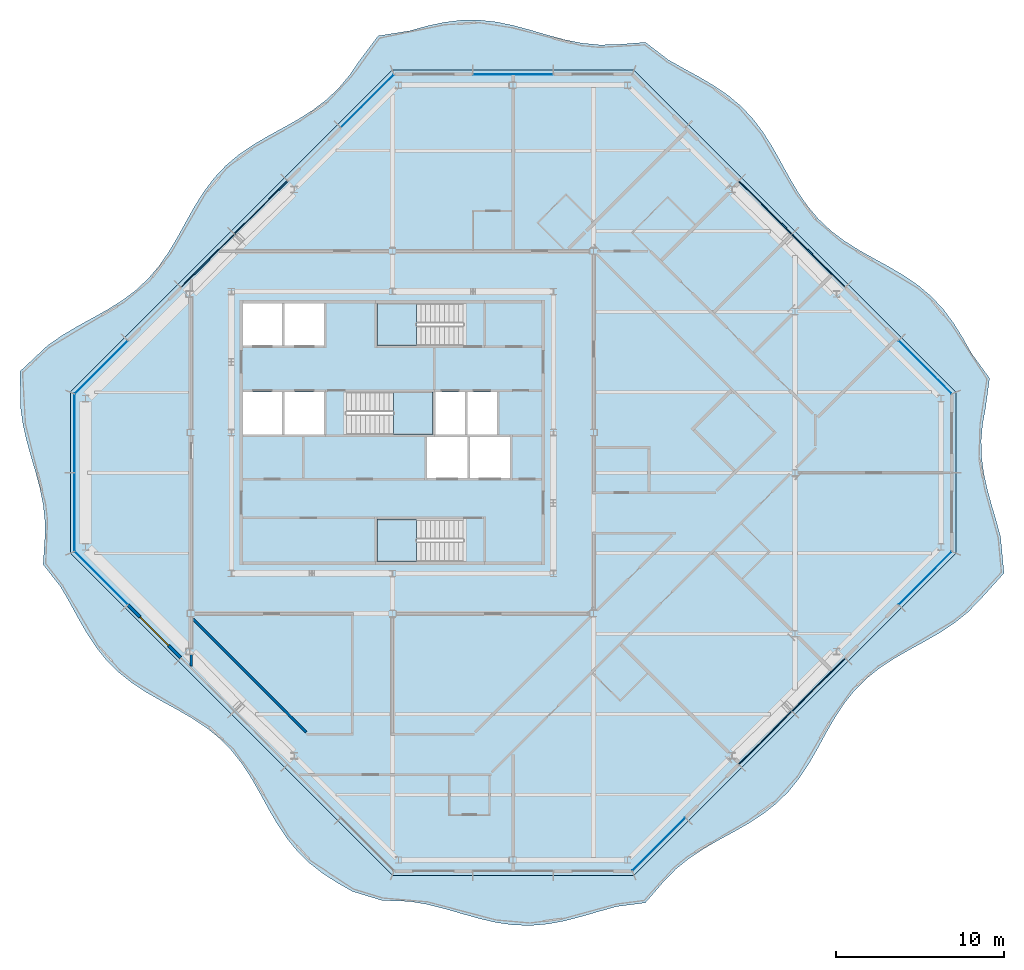
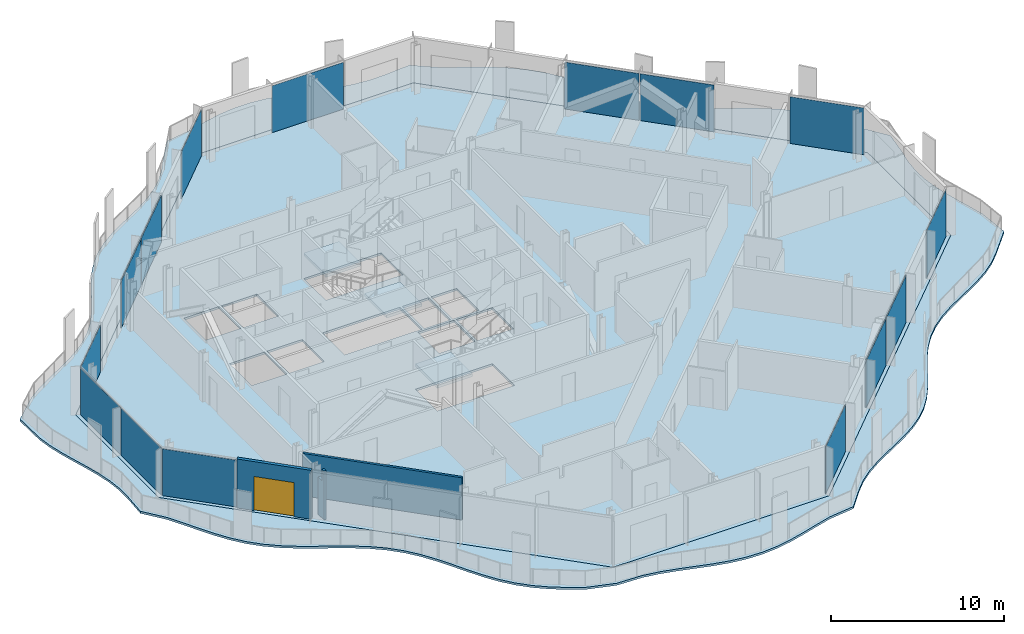
# One storey, part 6 of 17: 15 plates, 5 slabs, 3 walls, 1 door, 1 opening, 9 elements without a shape of their own.
"""IFC4 building model written with IfcOpenShell, lengths in metres."""

from ifc_helpers import new_model, si_unit, direction, frame, frame_2d, origin, origin_2d, place, context, subcontext, project, spatial, polyline, rectangle, outline, extrude, material, layer, layer_set, type_object, element, fill, aggregate, save


model = new_model("IFC4")

# Units and contexts
model_context = context("Model", 3, precision=1e-05, world=origin(), true_north=direction((0.0, 1.0)))
body_context = subcontext(model_context, "Body", "Model", "MODEL_VIEW")
ifc_project = project(units=[si_unit("LENGTHUNIT", "METRE"), si_unit("AREAUNIT", "SQUARE_METRE"), si_unit("VOLUMEUNIT", "CUBIC_METRE"), si_unit("PLANEANGLEUNIT", "RADIAN"), si_unit("MASSUNIT", "GRAM", prefix="KILO")], contexts=[model_context])

# Site, building, storey
site_placement = place(None, origin())
site = spatial("IfcSite", under=ifc_project, at=site_placement, CompositionType="ELEMENT")
building_placement = place(site_placement, origin())
building = spatial("IfcBuilding", under=site, at=building_placement, Name="Cairn Pilgrim Tower", CompositionType="ELEMENT")
storey_placement = place(building_placement, frame((0.0, 0.0, 274.199951171875)))
storey = spatial("IfcBuildingStorey", under=building, at=storey_placement, Name="L70", CompositionType="ELEMENT", Elevation=274.199951171875)

# Slabs
ifc_material_1 = material(Name="Concrete C35/45", Category="concrete")
ifc_layer_1 = layer(ifc_material_1, 0.14990234375)
ifc_layer_set_1 = layer_set([ifc_layer_1], Name="BALCONY SLAB 150 CONCRETE C35/45")
slab_type_1 = type_object("IfcSlabType", Name="BALCONY SLAB 150 CONCRETE C35/45", PredefinedType="FLOOR", material=ifc_layer_set_1)
slab_1_placement = place(storey_placement, frame((0.0, 0.0, -0.14990234375)))
element("IfcSlab", 1, at=slab_1_placement, inside=storey, type_object=slab_type_1, Name="Balcony slab BS-1", PredefinedType="FLOOR", context=body_context, shape_type="SweptSolid", body=[
    extrude(outline(polyline([(4.816162109375, -24.961669921875), (6.57861328125, -25.5), (8.228515625, -25.560302734375), (9.257080078125, -25.731689453125), (10.28564453125, -25.986572265625), (11.314208984375, -26.28369140625), (12.3427734375, -26.575439453125), (13.371337890625, -26.814697265625), (14.39990234375, -26.96337890625), (15.428466796875, -26.9970703125), (16.45703125, -26.910400390625), (17.485595703125, -26.717529296875), (18.514404296875, -26.449462890625), (19.54296875, -26.1494140625), (20.571533203125, -25.865234375), (22.28076171875, -25.643310546875), (23.38623046875, -24.364013671875), (24.08984375, -23.645263671875), (24.8740234375, -23.00732421875), (25.7275390625, -22.438720703125), (26.62841796875, -21.91748046875), (27.547607421875, -21.414306640625), (28.452880859375, -20.897216796875), (29.314453125, -20.336669921875), (30.109130859375, -19.708984375), (30.823974609375, -19.001708984375), (31.45849609375, -18.214111328125), (32.0244140625, -17.35791015625), (32.544189453125, -16.455322265625), (33.04736328125, -15.5361328125), (33.565673828125, -14.63232421875), (34.12890625, -13.7734375), (34.760009765625, -12.982177734375), (35.470947265625, -12.27099609375), (36.261962890625, -11.639892578125), (37.120849609375, -11.076416015625), (38.024658203125, -10.55810546875), (38.94384765625, -10.054931640625), (39.846435546875, -9.535400390625), (40.70263671875, -8.969482421875), (41.490478515625, -8.3349609375), (42.197998046875, -7.6201171875), (43.664794921875, -5.986572265625), (43.463623046875, -3.840087890625), (43.2041015625, -2.8798828125), (42.923095703125, -1.919921875), (42.659912109375, -0.9599609375), (42.451416015625, 0.0), (42.3271484375, 0.9599609375), (42.30419921875, 1.919921875), (42.38623046875, 2.8798828125), (42.561279296875, 3.840087890625), (42.80517578125, 5.630615234375), (41.712890625, 7.135009765625), (41.202880859375, 8.04736328125), (40.65673828125, 8.923583984375), (40.04931640625, 9.73828125), (39.364501953125, 10.4755859375), (38.59814453125, 11.13134765625), (37.7587890625, 11.71435546875), (36.866455078125, 12.244140625), (35.948486328125, 12.74853515625), (35.037353515625, 13.259521484375), (34.16357421875, 13.807861328125), (33.35205078125, 14.418701171875), (32.618408203125, 15.107177734375), (31.966064453125, 15.877197265625), (31.385986328125, 16.71923828125), (30.85791015625, 17.613525390625), (30.35400390625, 18.53173828125), (29.841796875, 19.44189453125), (29.291259765625, 20.3134765625), (28.67724609375, 21.12158203125), (27.98486328125, 21.8515625), (27.21142578125, 22.50048828125), (26.366455078125, 23.07763671875), (25.470458984375, 23.603759765625), (24.552001953125, 24.107666015625), (23.64306640625, 24.62060546875), (22.28759765625, 25.659912109375), (20.571533203125, 25.525390625), (19.54296875, 25.507568359375), (18.514404296875, 25.609130859375), (17.485595703125, 25.81396484375), (16.45703125, 26.0888671875), (15.428466796875, 26.3896484375), (14.39990234375, 26.668212890625), (13.371337890625, 26.879150390625), (12.3427734375, 26.989013671875), (11.314208984375, 26.979736328125), (10.28564453125, 26.853271484375), (9.257080078125, 26.629638671875), (8.228515625, 26.3447265625), (6.35302734375, 26.044677734375), (5.22802734375, 24.5498046875), (4.651123046875, 23.704345703125), (4.0029296875, 22.930419921875), (3.2734375, 22.23779296875), (2.465576171875, 21.623291015625), (1.59423828125, 21.072509765625), (0.68408203125, 20.560302734375), (-0.234130859375, 20.05615234375), (-1.12841796875, 19.528564453125), (-1.970947265625, 18.94873046875), (-2.741455078125, 18.296875), (-3.430419921875, 17.563720703125), (-4.04150390625, 16.752685546875), (-4.590087890625, 15.87890625), (-5.10107421875, 14.9677734375), (-5.605712890625, 14.050048828125), (-6.135009765625, 13.157470703125), (-6.7177734375, 12.317626953125), (-7.373291015625, 11.551025390625), (-8.110107421875, 10.86572265625), (-8.92431640625, 10.2578125), (-9.80029296875, 9.71142578125), (-10.71240234375, 9.201416015625), (-11.6298828125, 8.696533203125), (-12.520751953125, 8.1650390625), (-13.357421875, 7.57958984375), (-14.998779296875, 6.042236328125), (-14.961669921875, 3.840087890625), (-14.824462890625, 2.8798828125), (-14.6064453125, 1.919921875), (-14.338623046875, 0.9599609375), (-14.05810546875, 0.0), (-13.8046875, -0.9599609375), (-13.61376953125, -1.919921875), (-13.51220703125, -2.8798828125), (-13.514404296875, -3.840087890625), (-13.61962890625, -5.470947265625), (-12.5791015625, -6.80126953125), (-12.05908203125, -7.70361328125), (-11.55615234375, -8.622802734375), (-11.037841796875, -9.52685546875), (-10.474853515625, -10.385986328125), (-9.84423828125, -11.177490234375), (-9.13330078125, -11.888916015625), (-8.342529296875, -12.520263671875), (-7.48388671875, -13.083984375), (-6.580322265625, -13.6025390625), (-5.6611328125, -14.10546875), (-4.75830078125, -14.625), (-3.90185546875, -15.190673828125), (-3.11376953125, -15.824951171875), (-2.406005859375, -16.539306640625), (-1.778076171875, -17.33349609375), (-1.217041015625, -18.19482421875), (-0.699951171875, -19.099853515625), (-0.19677734375, -20.01904296875), (0.32421875, -20.920166015625), (0.892578125, -21.774169921875), (1.5302734375, -22.55859375), (2.248291015625, -23.2626953125), (3.0458984375, -23.887451171875), (3.90966796875, -24.44580078125), (4.816162109375, -24.961669921875)]), holes=[polyline([(21.60009765625, -24.0), (7.199951171875, -24.0), (-12.0, -4.800048828125), (-12.0, 4.800048828125), (7.199951171875, 24.0), (21.60009765625, 24.0), (40.800048828125, 4.800048828125), (40.800048828125, -4.800048828125), (21.60009765625, -24.0)])]), origin(), (0.0, 0.0, 1.0), 0.14990234375),
])
ifc_layer_2 = layer(ifc_material_1, 0.14990234375)
ifc_layer_set_2 = layer_set([ifc_layer_2], Name="COMPOSITE FLOOR SLAB 150")
slab_type_2 = type_object("IfcSlabType", Name="COMPOSITE FLOOR SLAB 150", PredefinedType="FLOOR", material=ifc_layer_set_2)
slab_2_placement = place(storey_placement, frame((0.0, 0.0, -0.14990234375)))
element("IfcSlab", 2, at=slab_2_placement, inside=storey, type_object=slab_type_2, Name="FLOOR SLAB L70", PredefinedType="FLOOR", context=body_context, shape_type="SweptSolid", body=[
    extrude(outline(polyline([(7.199951171875, -24.0), (21.60009765625, -24.0), (40.800048828125, -4.800048828125), (40.800048828125, 4.800048828125), (21.60009765625, 24.0), (7.199951171875, 24.0), (-12.0, 4.800048828125), (-12.0, -4.800048828125), (7.199951171875, -24.0)]), holes=[polyline([(9.27490234375, -0.324951171875), (11.675048828125, -0.324951171875), (11.675048828125, 2.125), (9.27490234375, 2.125), (9.27490234375, -0.324951171875)]), polyline([(11.824951171875, -0.324951171875), (14.22509765625, -0.324951171875), (14.22509765625, 2.125), (11.824951171875, 2.125), (11.824951171875, -0.324951171875)]), polyline([(-1.72509765625, 2.27490234375), (0.625, 2.27490234375), (0.625, 4.824951171875), (-1.72509765625, 4.824951171875), (-1.72509765625, 2.27490234375)]), polyline([(0.77490234375, 2.27490234375), (3.125, 2.27490234375), (3.125, 4.824951171875), (0.77490234375, 4.824951171875), (0.77490234375, 2.27490234375)]), polyline([(-1.72509765625, 7.574951171875), (0.625, 7.574951171875), (0.625, 10.10009765625), (-1.72509765625, 10.10009765625), (-1.72509765625, 7.574951171875)]), polyline([(0.77490234375, 7.574951171875), (3.125, 7.574951171875), (3.125, 10.10009765625), (0.77490234375, 10.10009765625), (0.77490234375, 7.574951171875)]), polyline([(9.77490234375, 2.27490234375), (11.52490234375, 2.27490234375), (11.52490234375, 4.824951171875), (9.77490234375, 4.824951171875), (9.77490234375, 2.27490234375)]), polyline([(11.675048828125, 2.27490234375), (13.425048828125, 2.27490234375), (13.425048828125, 4.824951171875), (11.675048828125, 4.824951171875), (11.675048828125, 2.27490234375)]), polyline([(11.424560546875, -2.77490234375), (6.27490234375, -2.77490234375), (6.27490234375, -5.300048828125), (11.424560546875, -5.300048828125), (11.424560546875, -2.77490234375)]), polyline([(4.4755859375, 2.27490234375), (9.625, 2.27490234375), (9.625, 4.824951171875), (4.4755859375, 4.824951171875), (4.4755859375, 2.27490234375)]), polyline([(11.424560546875, 10.10009765625), (6.27490234375, 10.10009765625), (6.27490234375, 7.574951171875), (11.424560546875, 7.574951171875), (11.424560546875, 10.10009765625)])]), origin(), (0.0, 0.0, 1.0), 0.14990234375),
])

# Curtain wall, plates
ifc_material_2 = material(Name="Aluminium alloy 6063-T6 bronze anodised with Bronze tinted laminated low-E glass 8+16+8.8", Category="aluminium")
curtain_wall_type = type_object("IfcCurtainWallType", Name="CROWN CURTAIN WALL", PredefinedType="NOTDEFINED", material=ifc_material_2)
curtain_wall_1_placement = place(storey_placement, origin())
curtain_wall_1 = element("IfcCurtainWall", 3, at=curtain_wall_1_placement, inside=storey, type_object=curtain_wall_type, Name="Crown Curtain Wall SE", PredefinedType="NOTDEFINED")
ifc_material_3 = material(Name="Bronze anodised aluminium spandrel panel with mineral wool insulation", Category="aluminium")
ifc_layer_3 = layer(ifc_material_3, 0.06005859375)
ifc_layer_set_3 = layer_set([ifc_layer_3], Name="SPANDREL PANEL 4431x3300")
plate_type_1 = type_object("IfcPlateType", Name="SPANDREL PANEL 4431x3300", PredefinedType="CURTAIN_PANEL", material=ifc_layer_set_3)
plate_1_placement = place(storey_placement, frame((29.435546875, -15.81103515625, 0.0), z_axis=(0.0, 0.0, 1.0), x_axis=(0.707106781187, 0.707106781187, 0.0)))
plate_1 = element("IfcPlate", 4, at=plate_1_placement, type_object=plate_type_1, Name="Spandrel Panel SE3-1", PredefinedType="CURTAIN_PANEL", context=body_context, shape_type="SweptSolid", body=[
    extrude(rectangle(XDim=4.430908203125, YDim=0.06005859375, at=origin_2d()), origin(), (0.0, 0.0, 1.0), 3.300048828125),
])
plate_2_placement = place(storey_placement, frame((32.611083984375, -12.635498046875, 0.0), z_axis=(0.0, 0.0, 1.0), x_axis=(0.707106781187, 0.707106781187, 0.0)))
plate_2 = element("IfcPlate", 5, at=plate_2_placement, type_object=plate_type_1, Name="Spandrel Panel SE4-1", PredefinedType="CURTAIN_PANEL", context=body_context, shape_type="SweptSolid", body=[
    extrude(rectangle(XDim=4.430908203125, YDim=0.06005859375, at=origin_2d()), origin(), (0.0, 0.0, 1.0), 3.300048828125),
])

curtain_wall_2_placement = place(storey_placement, origin())
curtain_wall_2 = element("IfcCurtainWall", 6, at=curtain_wall_2_placement, inside=storey, type_object=curtain_wall_type, Name="Crown Curtain Wall NE", PredefinedType="NOTDEFINED")
plate_3_placement = place(storey_placement, frame((32.611083984375, 12.635498046875, 0.0), z_axis=(0.0, 0.0, 1.0), x_axis=(-0.707106781187, 0.707106781187, 0.0)))
plate_3 = element("IfcPlate", 7, at=plate_3_placement, type_object=plate_type_1, Name="Spandrel Panel NE3-1", PredefinedType="CURTAIN_PANEL", context=body_context, shape_type="SweptSolid", body=[
    extrude(rectangle(XDim=4.430908203125, YDim=0.06005859375, at=origin_2d()), origin(), (0.0, 0.0, 1.0), 3.300048828125),
])
plate_4_placement = place(storey_placement, frame((29.435546875, 15.81103515625, 0.0), z_axis=(0.0, 0.0, 1.0), x_axis=(-0.707106781187, 0.707106781187, 0.0)))
plate_4 = element("IfcPlate", 8, at=plate_4_placement, type_object=plate_type_1, Name="Spandrel Panel NE4-1", PredefinedType="CURTAIN_PANEL", context=body_context, shape_type="SweptSolid", body=[
    extrude(rectangle(XDim=4.430908203125, YDim=0.06005859375, at=origin_2d()), origin(), (0.0, 0.0, 1.0), 3.300048828125),
])

curtain_wall_3_placement = place(storey_placement, origin())
curtain_wall_3 = element("IfcCurtainWall", 9, at=curtain_wall_3_placement, inside=storey, type_object=curtain_wall_type, Name="Crown Curtain Wall NW", PredefinedType="NOTDEFINED")
plate_5_placement = place(storey_placement, frame((-0.635498046875, 15.81103515625, 0.0), z_axis=(0.0, 0.0, 1.0), x_axis=(-0.707106781187, -0.707106781187, 0.0)))
plate_5 = element("IfcPlate", 10, at=plate_5_placement, type_object=plate_type_1, Name="Spandrel Panel NW3-1", PredefinedType="CURTAIN_PANEL", context=body_context, shape_type="SweptSolid", body=[
    extrude(rectangle(XDim=4.430908203125, YDim=0.06005859375, at=origin_2d()), origin(), (0.0, 0.0, 1.0), 3.300048828125),
])
plate_6_placement = place(storey_placement, frame((-3.81103515625, 12.635498046875, 0.0), z_axis=(0.0, 0.0, 1.0), x_axis=(-0.707106781187, -0.707106781187, 0.0)))
plate_6 = element("IfcPlate", 11, at=plate_6_placement, type_object=plate_type_1, Name="Spandrel Panel NW4-1", PredefinedType="CURTAIN_PANEL", context=body_context, shape_type="SweptSolid", body=[
    extrude(rectangle(XDim=4.430908203125, YDim=0.06005859375, at=origin_2d()), origin(), (0.0, 0.0, 1.0), 3.300048828125),
])

# Stair, slab
ifc_material_4 = material(Name="Concrete C32/40", Category="concrete")
stair_type = type_object("IfcStairType", Name="EXIT STAIR 1200", PredefinedType="HALF_TURN_STAIR", material=ifc_material_4)
stair_1_placement = place(storey_placement, origin())
stair_1 = element("IfcStair", 12, at=stair_1_placement, inside=storey, type_object=stair_type, Name="L70 Exit Stair A", PredefinedType="HALF_TURN_STAIR")
ifc_layer_4 = layer(ifc_material_4, 0.199951171875)
ifc_layer_set_4 = layer_set([ifc_layer_4], Name="STAIR LANDING 200")
slab_type_3 = type_object("IfcSlabType", Name="STAIR LANDING 200", PredefinedType="LANDING", material=ifc_layer_set_4)
slab_3_placement = place(storey_placement, frame((0.0, 0.0, 1.60009765625)))
slab_3 = element("IfcSlab", 13, at=slab_3_placement, type_object=slab_type_3, Name="ST-A landing 1", PredefinedType="LANDING", context=body_context, shape_type="SweptSolid", body=[
    extrude(outline(polyline([(8.625, -2.77490234375), (6.27490234375, -2.77490234375), (6.27490234375, -5.300048828125), (8.625, -5.300048828125), (8.625, -2.77490234375)])), origin(), (0.0, 0.0, 1.0), 0.199951171875),
])
aggregate(stair_1, [slab_3])

stair_2_placement = place(storey_placement, origin())
stair_2 = element("IfcStair", 14, at=stair_2_placement, inside=storey, type_object=stair_type, Name="L70 Exit Stair B", PredefinedType="HALF_TURN_STAIR")
slab_4_placement = place(storey_placement, frame((0.0, 0.0, 1.60009765625)))
slab_4 = element("IfcSlab", 15, at=slab_4_placement, type_object=slab_type_3, Name="ST-B landing 1", PredefinedType="LANDING", context=body_context, shape_type="SweptSolid", body=[
    extrude(outline(polyline([(7.27490234375, 2.27490234375), (9.625, 2.27490234375), (9.625, 4.824951171875), (7.27490234375, 4.824951171875), (7.27490234375, 2.27490234375)])), origin(), (0.0, 0.0, 1.0), 0.199951171875),
])
aggregate(stair_2, [slab_4])

stair_3_placement = place(storey_placement, origin())
stair_3 = element("IfcStair", 16, at=stair_3_placement, inside=storey, type_object=stair_type, Name="L70 Exit Stair C", PredefinedType="HALF_TURN_STAIR")
slab_5_placement = place(storey_placement, frame((0.0, 0.0, 1.60009765625)))
slab_5 = element("IfcSlab", 17, at=slab_5_placement, type_object=slab_type_3, Name="ST-C landing 1", PredefinedType="LANDING", context=body_context, shape_type="SweptSolid", body=[
    extrude(outline(polyline([(8.625, 10.10009765625), (6.27490234375, 10.10009765625), (6.27490234375, 7.574951171875), (8.625, 7.574951171875), (8.625, 10.10009765625)])), origin(), (0.0, 0.0, 1.0), 0.199951171875),
])
aggregate(stair_3, [slab_5])

# Plate
ifc_material_5 = material(Name="Bronze tinted laminated low-E glass 8+16+8.8", Category="glass")
ifc_layer_5 = layer(ifc_material_5, 0.033935546875)
ifc_layer_set_5 = layer_set([ifc_layer_5], Name="VISION GLAZING 4421x3300")
plate_type_2 = type_object("IfcPlateType", Name="VISION GLAZING 4421x3300", PredefinedType="CURTAIN_PANEL", material=ifc_layer_set_5)
plate_7_placement = place(storey_placement, frame((23.087890625, -22.15869140625, 0.0), z_axis=(0.0, 0.0, 1.0), x_axis=(0.707106781187, 0.707106781187, 0.0)))
plate_7 = element("IfcPlate", 18, at=plate_7_placement, type_object=plate_type_2, Name="Vision Glazing SE1-1", PredefinedType="CURTAIN_PANEL", context=body_context, shape_type="SweptSolid", body=[
    extrude(rectangle(XDim=4.4208984375, YDim=0.033935546875, at=origin_2d()), origin(), (0.0, 0.0, 1.0), 3.300048828125),
])

plate_8_placement = place(storey_placement, frame((38.958740234375, -6.287841796875, 0.0), z_axis=(0.0, 0.0, 1.0), x_axis=(0.707106781187, 0.707106781187, 0.0)))
plate_8 = element("IfcPlate", 19, at=plate_8_placement, type_object=plate_type_2, Name="Vision Glazing SE6-1", PredefinedType="CURTAIN_PANEL", context=body_context, shape_type="SweptSolid", body=[
    extrude(rectangle(XDim=4.4208984375, YDim=0.033935546875, at=origin_2d()), origin(), (0.0, 0.0, 1.0), 3.300048828125),
])

aggregate(curtain_wall_1, [plate_7, plate_1, plate_2, plate_8])

plate_9_placement = place(storey_placement, frame((38.958740234375, 6.287841796875, 0.0), z_axis=(0.0, 0.0, 1.0), x_axis=(-0.707106781187, 0.707106781187, 0.0)))
plate_9 = element("IfcPlate", 20, at=plate_9_placement, type_object=plate_type_2, Name="Vision Glazing NE1-1", PredefinedType="CURTAIN_PANEL", context=body_context, shape_type="SweptSolid", body=[
    extrude(rectangle(XDim=4.4208984375, YDim=0.033935546875, at=origin_2d()), origin(), (0.0, 0.0, 1.0), 3.300048828125),
])

aggregate(curtain_wall_2, [plate_9, plate_3, plate_4])

plate_10_placement = place(storey_placement, frame((5.712158203125, 22.15869140625, 0.0), z_axis=(0.0, 0.0, 1.0), x_axis=(-0.707106781187, -0.707106781187, 0.0)))
plate_10 = element("IfcPlate", 21, at=plate_10_placement, type_object=plate_type_2, Name="Vision Glazing NW1-1", PredefinedType="CURTAIN_PANEL", context=body_context, shape_type="SweptSolid", body=[
    extrude(rectangle(XDim=4.4208984375, YDim=0.033935546875, at=origin_2d()), origin(), (0.0, 0.0, 1.0), 3.300048828125),
])

plate_11_placement = place(storey_placement, frame((-10.15869140625, 6.287841796875, 0.0), z_axis=(0.0, 0.0, 1.0), x_axis=(-0.707106781187, -0.707106781187, 0.0)))
plate_11 = element("IfcPlate", 22, at=plate_11_placement, type_object=plate_type_2, Name="Vision Glazing NW6-1", PredefinedType="CURTAIN_PANEL", context=body_context, shape_type="SweptSolid", body=[
    extrude(rectangle(XDim=4.4208984375, YDim=0.033935546875, at=origin_2d()), origin(), (0.0, 0.0, 1.0), 3.300048828125),
])

aggregate(curtain_wall_3, [plate_10, plate_5, plate_6, plate_11])

# Curtain wall, plate
curtain_wall_4_placement = place(storey_placement, origin())
curtain_wall_4 = element("IfcCurtainWall", 23, at=curtain_wall_4_placement, inside=storey, type_object=curtain_wall_type, Name="Crown Curtain Wall SW", PredefinedType="NOTDEFINED")
plate_12_placement = place(storey_placement, frame((-10.15869140625, -6.287841796875, 0.0), z_axis=(0.0, 0.0, 1.0), x_axis=(0.707106781187, -0.707106781187, 0.0)))
plate_12 = element("IfcPlate", 24, at=plate_12_placement, type_object=plate_type_2, Name="Vision Glazing SW1-1", PredefinedType="CURTAIN_PANEL", context=body_context, shape_type="SweptSolid", body=[
    extrude(rectangle(XDim=4.4208984375, YDim=0.033935546875, at=origin_2d()), origin(), (0.0, 0.0, 1.0), 3.300048828125),
])
aggregate(curtain_wall_4, [plate_12])

# Curtain wall, plates
curtain_wall_5_placement = place(storey_placement, origin())
curtain_wall_5 = element("IfcCurtainWall", 25, at=curtain_wall_5_placement, inside=storey, type_object=curtain_wall_type, Name="Crown Curtain Wall W", PredefinedType="NOTDEFINED")
ifc_layer_6 = layer(ifc_material_5, 0.033935546875)
ifc_layer_set_6 = layer_set([ifc_layer_6], Name="VISION GLAZING 4626x3300")
plate_type_3 = type_object("IfcPlateType", Name="VISION GLAZING 4626x3300", PredefinedType="CURTAIN_PANEL", material=ifc_layer_set_6)
plate_13_placement = place(storey_placement, frame((-11.75, 2.34326171875, 0.0), z_axis=(0.0, 0.0, 1.0), x_axis=(0.0, -1.0, 0.0)))
plate_13 = element("IfcPlate", 26, at=plate_13_placement, type_object=plate_type_3, Name="Vision Glazing W1-1", PredefinedType="CURTAIN_PANEL", context=body_context, shape_type="SweptSolid", body=[
    extrude(rectangle(XDim=4.62646484375, YDim=0.033935546875, at=origin_2d()), origin(), (0.0, 0.0, 1.0), 3.300048828125),
])
plate_14_placement = place(storey_placement, frame((-11.75, -2.34326171875, 0.0), z_axis=(0.0, 0.0, 1.0), x_axis=(0.0, -1.0, 0.0)))
plate_14 = element("IfcPlate", 27, at=plate_14_placement, type_object=plate_type_3, Name="Vision Glazing W2-1", PredefinedType="CURTAIN_PANEL", context=body_context, shape_type="SweptSolid", body=[
    extrude(rectangle(XDim=4.62646484375, YDim=0.033935546875, at=origin_2d()), origin(), (0.0, 0.0, 1.0), 3.300048828125),
])
aggregate(curtain_wall_5, [plate_13, plate_14])

# Curtain wall, plate
curtain_wall_6_placement = place(storey_placement, origin())
curtain_wall_6 = element("IfcCurtainWall", 28, at=curtain_wall_6_placement, inside=storey, type_object=curtain_wall_type, Name="Crown Curtain Wall N", PredefinedType="NOTDEFINED")
ifc_layer_7 = layer(ifc_material_5, 0.033935546875)
ifc_layer_set_7 = layer_set([ifc_layer_7], Name="VISION GLAZING 4740x3300")
plate_type_4 = type_object("IfcPlateType", Name="VISION GLAZING 4740x3300", PredefinedType="CURTAIN_PANEL", material=ifc_layer_set_7)
plate_15_placement = place(storey_placement, frame((14.39990234375, 23.75, 0.0), z_axis=(0.0, 0.0, 1.0), x_axis=(-1.0, 0.0, 0.0)))
plate_15 = element("IfcPlate", 29, at=plate_15_placement, type_object=plate_type_4, Name="Vision Glazing N2-1", PredefinedType="CURTAIN_PANEL", context=body_context, shape_type="SweptSolid", body=[
    extrude(rectangle(XDim=4.739990234375, YDim=0.033935546875, at=origin_2d()), origin(), (0.0, 0.0, 1.0), 3.300048828125),
])
aggregate(curtain_wall_6, [plate_15])

# Wall, opening, door
ifc_material_6 = material(Name="Bronze anodised aluminium insulated sandwich panel with mineral wool fill", Category="aluminium")
ifc_layer_8 = layer(ifc_material_6, 0.199951171875)
ifc_layer_set_8 = layer_set([ifc_layer_8], Name="BRONZE INFILL FRAME WALL 200")
wall_type_1 = type_object("IfcWallType", Name="BRONZE INFILL FRAME WALL 200", PredefinedType="NOTDEFINED", material=ifc_layer_set_8)
wall_1_placement = place(storey_placement, frame((-8.55322265625, -7.893310546875, 0.0), z_axis=(0.0, 0.0, 1.0), x_axis=(0.707134329907, -0.707079231393, 0.0)))
wall_1 = element("IfcWall", 30, at=wall_1_placement, inside=storey, type_object=wall_type_1, Name="Bronze infill frame wall IW-SW2", PredefinedType="NOTDEFINED", context=body_context, shape_type="SweptSolid", body=[
    extrude(rectangle(XDim=4.430908203125, YDim=0.199951171875, at=frame_2d((2.21533203125, 0.0))), origin(), (0.0, 0.0, 1.0), 3.449951171875),
])
opening_placement = place(wall_1_placement, frame((1.015380859375, 0.0, 0.0)))
opening = element("IfcOpeningElement", 31, at=opening_placement, cuts=wall_1, Name="Opening 7011B2", PredefinedType="OPENING", context=body_context, shape_type="SweptSolid", body=[
    extrude(rectangle(XDim=2.39990234375, YDim=2.39990234375, at=frame_2d((1.199951171875, 1.199951171875))), frame((0.0, 0.10986328125, 0.0), z_axis=(0.0, -1.0, 0.0), x_axis=(1.0, 0.0, 0.0)), (0.0, 0.0, 1.0), 0.219970703125),
])
ifc_material_7 = material(Name="Bronze anodised aluminium frame with tinted low-E glass", Category="aluminium")
door_type = type_object("IfcDoorType", Name="BALCONY SLIDING DOOR 2400x2400", OperationType="DOUBLE_DOOR_SLIDING", PredefinedType="DOOR", material=ifc_material_7)
door_placement = place(opening_placement, origin())
door = element("IfcDoor", 32, at=door_placement, inside=storey, type_object=door_type, Name="Balcony sliding door 7011B2", OperationType="SINGLE_SWING_LEFT", OverallHeight=2.39990234375, OverallWidth=2.39990234375, PredefinedType="DOOR", context=body_context, shape_type="SweptSolid", body=[
    extrude(rectangle(XDim=2.39990234375, YDim=2.39990234375, at=frame_2d((1.199951171875, 1.199951171875))), frame((0.0, 0.02490234375, 0.0), z_axis=(0.0, -1.0, 0.0), x_axis=(1.0, 0.0, 0.0)), (0.0, 0.0, 1.0), 0.050048828125),
])
fill(opening, door)

# Walls
ifc_material_8 = material(Name="Gypsum partition")
ifc_layer_9 = layer(ifc_material_8, 0.14990234375)
ifc_layer_set_9 = layer_set([ifc_layer_9], Name="PARTITION 150 DRYWALL EI 60")
wall_type_2 = type_object("IfcWallType", Name="PARTITION 150 DRYWALL EI 60", PredefinedType="PARTITIONING", material=ifc_layer_set_9)
wall_2_placement = place(storey_placement, frame((2.06591796875, -15.471923828125, 0.0), z_axis=(0.0, 0.0, 1.0), x_axis=(-0.707106781187, 0.707106781187, 0.0)))
element("IfcWall", 33, at=wall_2_placement, inside=storey, type_object=wall_type_2, Name="PARTITION W012", PredefinedType="PARTITIONING", context=body_context, shape_type="SweptSolid", body=[
    extrude(rectangle(XDim=9.529052734375, YDim=0.14990234375, at=frame_2d((4.7646484375, 0.0))), origin(), (0.0, 0.0, 1.0), 2.97998046875),
])
wall_3_placement = place(storey_placement, frame((-4.800048828125, -11.526123046875, 0.0), z_axis=(0.0, 0.0, 1.0), x_axis=(0.0, 1.0, 0.0)))
element("IfcWall", 34, at=wall_3_placement, inside=storey, type_object=wall_type_2, Name="PARTITION W019", PredefinedType="PARTITIONING", context=body_context, shape_type="SweptSolid", body=[
    extrude(outline(polyline([(0.0, 0.0), (0.67822265625, 0.0), (0.677978515625, 2.630126953125), (0.22900390625, 2.630126953125), (0.226806640625, 3.449951171875), (0.0, 3.449951171875), (0.0, 0.0)])), frame((0.0, 0.074951171875, 0.0), z_axis=(0.0, -1.0, 0.0), x_axis=(1.0, 0.0, 0.0)), (0.0, 0.0, 1.0), 0.14990234375),
])

save(model, "model.ifc")
